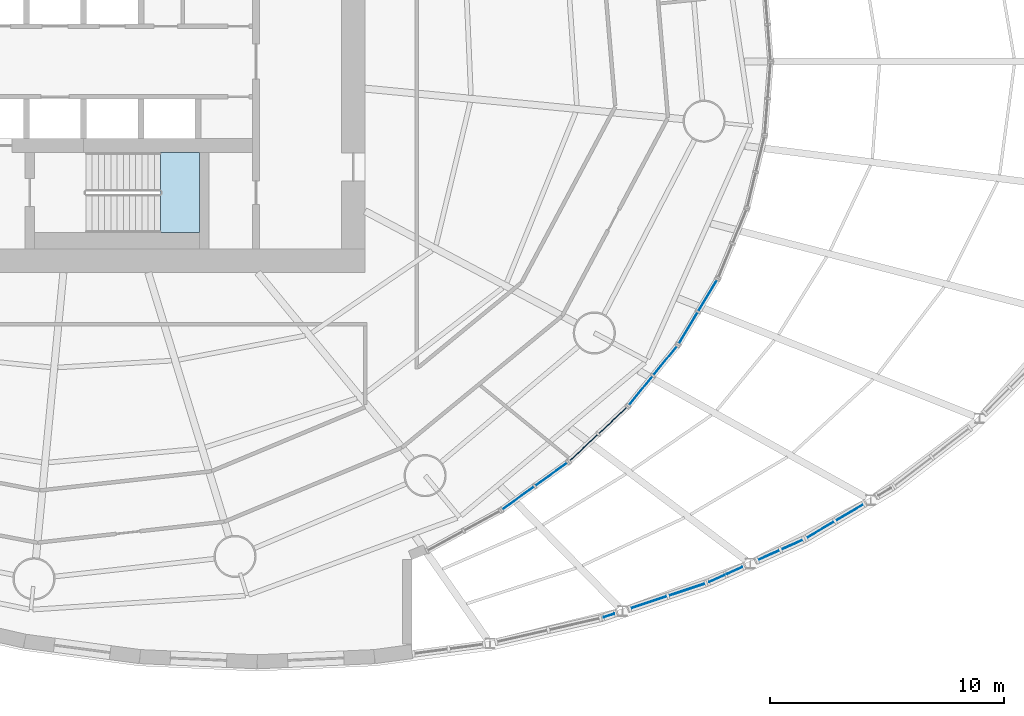
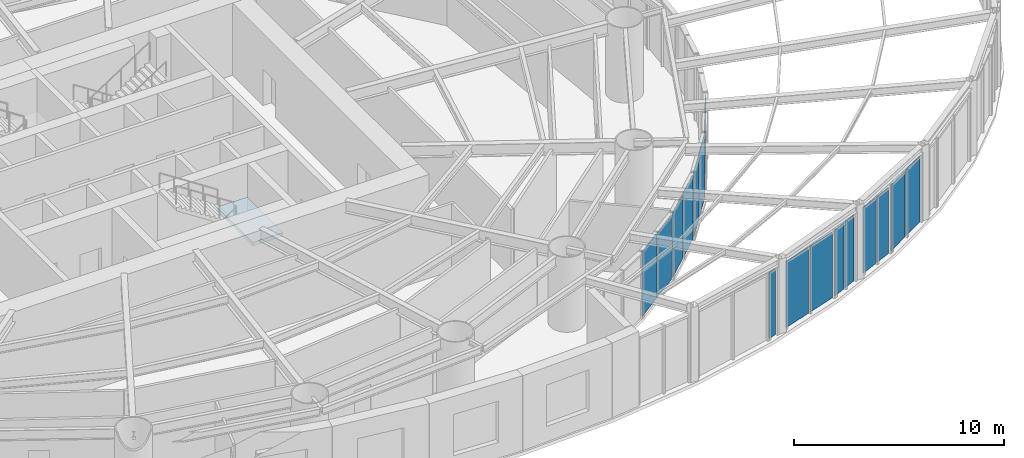
# One storey, part 14 of 23: 17 plates, 1 slab, 10 elements without a shape of their own.
"""IFC4 building model written with IfcOpenShell, lengths in metres."""

from ifc_helpers import new_model, si_unit, direction, frame, origin, origin_2d, place, context, subcontext, project, spatial, polyline, rectangle, outline, extrude, material, layer, layer_set, type_object, element, aggregate, save


model = new_model("IFC4")

# Units and contexts
model_context = context("Model", 3, precision=1e-05, world=origin(), true_north=direction((0.0, 1.0)))
body_context = subcontext(model_context, "Body", "Model", "MODEL_VIEW")
ifc_project = project(units=[si_unit("LENGTHUNIT", "METRE"), si_unit("AREAUNIT", "SQUARE_METRE"), si_unit("VOLUMEUNIT", "CUBIC_METRE"), si_unit("PLANEANGLEUNIT", "RADIAN"), si_unit("MASSUNIT", "GRAM", prefix="KILO")], contexts=[model_context])

# Site, building, storey
site_placement = place(None, origin())
site = spatial("IfcSite", under=ifc_project, at=site_placement, CompositionType="ELEMENT")
building_placement = place(site_placement, origin())
building = spatial("IfcBuilding", under=site, at=building_placement, Name="Vermilion Reach Broadcast Tower", CompositionType="ELEMENT")
storey_placement = place(building_placement, frame((0.0, 0.0, 31.5)))
storey = spatial("IfcBuildingStorey", under=building, at=storey_placement, Name="L04", CompositionType="ELEMENT", Elevation=31.5)

# Curtain wall, plate
ifc_material_1 = material(Name="Low-e laminated clear glass in aluminium frame", Category="aluminium")
curtain_wall_type_1 = type_object("IfcCurtainWallType", Name="Atrium outer wall curtain wall", PredefinedType="NOTDEFINED", material=ifc_material_1)
placement = place(storey_placement, origin())
curtain_wall_1 = element("IfcCurtainWall", 1, at=placement, inside=storey, type_object=curtain_wall_type_1, Name="Atrium wall L04 03-1", PredefinedType="NOTDEFINED")
ifc_material_2 = material(Name="Low-e laminated clear glass", Category="glass")
ifc_layer_1 = layer(ifc_material_2, 0.035888671875)
ifc_layer_set_1 = layer_set([ifc_layer_1], Name="Atrium outer wall glass panel")
plate_type_1 = type_object("IfcPlateType", Name="Atrium outer wall glass panel", PredefinedType="CURTAIN_PANEL", material=ifc_layer_set_1)
plate_1_placement = place(storey_placement, frame((16.40771484375, -23.626708984375, 0.0), z_axis=(0.0, 0.0, 1.0), x_axis=(0.949015935462, 0.315228098746, 0.0)))
plate_1 = element("IfcPlate", 2, at=plate_1_placement, type_object=plate_type_1, Name="Atrium wall glass panel L04 03-1.1.1", PredefinedType="CURTAIN_PANEL", context=body_context, shape_type="SweptSolid", body=[
    extrude(rectangle(XDim=0.467529296875, YDim=0.035888671875, at=origin_2d()), origin(), (0.0, 0.0, 1.0), 3.840087890625),
])
aggregate(curtain_wall_1, [plate_1])

# Curtain wall, plates
curtain_wall_2 = element("IfcCurtainWall", 3, at=placement, inside=storey, type_object=curtain_wall_type_1, Name="Atrium wall L04 03-2", PredefinedType="NOTDEFINED")
plate_2_placement = place(storey_placement, frame((18.10498046875, -23.06298828125, 0.0), z_axis=(0.0, 0.0, 1.0), x_axis=(0.949015935462, 0.315228098746, 0.0)))
plate_2 = element("IfcPlate", 4, at=plate_2_placement, type_object=plate_type_1, Name="Atrium wall glass panel L04 03-2.1.1", PredefinedType="CURTAIN_PANEL", context=body_context, shape_type="SweptSolid", body=[
    extrude(rectangle(XDim=1.61328125, YDim=0.035888671875, at=origin_2d()), origin(), (0.0, 0.0, 1.0), 3.840087890625),
])
plate_3_placement = place(storey_placement, frame((19.73095703125, -22.52294921875, 0.0), z_axis=(0.0, 0.0, 1.0), x_axis=(0.949015935462, 0.315228098746, 0.0)))
plate_3 = element("IfcPlate", 5, at=plate_3_placement, type_object=plate_type_1, Name="Atrium wall glass panel L04 03-2.2.1", PredefinedType="CURTAIN_PANEL", context=body_context, shape_type="SweptSolid", body=[
    extrude(rectangle(XDim=1.61328125, YDim=0.035888671875, at=origin_2d()), origin(), (0.0, 0.0, 1.0), 3.840087890625),
])
aggregate(curtain_wall_2, [plate_2, plate_3])

curtain_wall_3 = element("IfcCurtainWall", 6, at=placement, inside=storey, type_object=curtain_wall_type_1, Name="Atrium wall L04 04-1", PredefinedType="NOTDEFINED")
plate_4_placement = place(storey_placement, frame((21.01171875, -22.048095703125, 0.0), z_axis=(0.0, 0.0, 1.0), x_axis=(0.911902064418, 0.410407876277, 0.0)))
plate_4 = element("IfcPlate", 7, at=plate_4_placement, type_object=plate_type_1, Name="Atrium wall glass panel L04 04-1.1.1", PredefinedType="CURTAIN_PANEL", context=body_context, shape_type="SweptSolid", body=[
    extrude(rectangle(XDim=0.721923828125, YDim=0.035888671875, at=origin_2d()), origin(), (0.0, 0.0, 1.0), 3.840087890625),
])
plate_5_placement = place(storey_placement, frame((21.76123046875, -21.710693359375, 0.0), z_axis=(0.0, 0.0, 1.0), x_axis=(0.911902064418, 0.410407876277, 0.0)))
plate_5 = element("IfcPlate", 8, at=plate_5_placement, type_object=plate_type_1, Name="Atrium wall glass panel L04 04-1.2.1", PredefinedType="CURTAIN_PANEL", context=body_context, shape_type="SweptSolid", body=[
    extrude(rectangle(XDim=0.721923828125, YDim=0.035888671875, at=origin_2d()), origin(), (0.0, 0.0, 1.0), 3.840087890625),
])
aggregate(curtain_wall_3, [plate_4, plate_5])

curtain_wall_4 = element("IfcCurtainWall", 9, at=placement, inside=storey, type_object=curtain_wall_type_1, Name="Atrium wall L04 04-2", PredefinedType="NOTDEFINED")
plate_6_placement = place(storey_placement, frame((23.223876953125, -21.052490234375, 0.0), z_axis=(0.0, 0.0, 1.0), x_axis=(0.911902064418, 0.410407876277, 0.0)))
plate_6 = element("IfcPlate", 10, at=plate_6_placement, type_object=plate_type_1, Name="Atrium wall glass panel L04 04-2.1.1", PredefinedType="CURTAIN_PANEL", context=body_context, shape_type="SweptSolid", body=[
    extrude(rectangle(XDim=0.990234375, YDim=0.035888671875, at=origin_2d()), origin(), (0.0, 0.0, 1.0), 3.840087890625),
])
plate_7_placement = place(storey_placement, frame((24.218017578125, -20.60498046875, 0.0), z_axis=(0.0, 0.0, 1.0), x_axis=(0.911902064418, 0.410407876277, 0.0)))
plate_7 = element("IfcPlate", 11, at=plate_7_placement, type_object=plate_type_1, Name="Atrium wall glass panel L04 04-2.2.1", PredefinedType="CURTAIN_PANEL", context=body_context, shape_type="SweptSolid", body=[
    extrude(rectangle(XDim=0.990234375, YDim=0.035888671875, at=origin_2d()), origin(), (0.0, 0.0, 1.0), 3.840087890625),
])
aggregate(curtain_wall_4, [plate_6, plate_7])

curtain_wall_5 = element("IfcCurtainWall", 12, at=placement, inside=storey, type_object=curtain_wall_type_1, Name="Atrium wall L04 05-1", PredefinedType="NOTDEFINED")
plate_8_placement = place(storey_placement, frame((25.42578125, -19.968017578125, 0.0), z_axis=(0.0, 0.0, 1.0), x_axis=(0.861009057017, 0.508589622127, 0.0)))
plate_8 = element("IfcPlate", 13, at=plate_8_placement, type_object=plate_type_1, Name="Atrium wall glass panel L04 05-1.1.1", PredefinedType="CURTAIN_PANEL", context=body_context, shape_type="SweptSolid", body=[
    extrude(rectangle(XDim=1.344970703125, YDim=0.035888671875, at=origin_2d()), origin(), (0.0, 0.0, 1.0), 3.840087890625),
])
plate_9_placement = place(storey_placement, frame((26.669677734375, -19.233154296875, 0.0), z_axis=(0.0, 0.0, 1.0), x_axis=(0.861009057017, 0.508589622127, 0.0)))
plate_9 = element("IfcPlate", 14, at=plate_9_placement, type_object=plate_type_1, Name="Atrium wall glass panel L04 05-1.2.1", PredefinedType="CURTAIN_PANEL", context=body_context, shape_type="SweptSolid", body=[
    extrude(rectangle(XDim=1.344970703125, YDim=0.035888671875, at=origin_2d()), origin(), (0.0, 0.0, 1.0), 3.840087890625),
])
aggregate(curtain_wall_5, [plate_8, plate_9])

ifc_material_3 = material(Name="Low-e laminated clear glass in aluminium frame", Category="aluminium")
curtain_wall_type_2 = type_object("IfcCurtainWallType", Name="Drum wall curtain wall", PredefinedType="NOTDEFINED", material=ifc_material_3)
curtain_wall_6 = element("IfcCurtainWall", 15, at=placement, inside=storey, type_object=curtain_wall_type_2, Name="Drum wall L04 12", PredefinedType="NOTDEFINED")
ifc_material_4 = material(Name="Low-e laminated clear glass", Category="glass")
ifc_layer_2 = layer(ifc_material_4, 0.031982421875)
ifc_layer_set_2 = layer_set([ifc_layer_2], Name="Drum wall glass panel")
plate_type_2 = type_object("IfcPlateType", Name="Drum wall glass panel", PredefinedType="CURTAIN_PANEL", material=ifc_layer_set_2)
plate_10_placement = place(storey_placement, frame((20.617431640625, -9.981689453125, 0.0), z_axis=(0.0, 0.0, 1.0), x_axis=(-0.515613297961, -0.856821409027, 0.0)))
plate_10 = element("IfcPlate", 16, at=plate_10_placement, type_object=plate_type_2, Name="Drum wall glass panel L04 12.1.1", PredefinedType="CURTAIN_PANEL", context=body_context, shape_type="SweptSolid", body=[
    extrude(rectangle(XDim=1.531982421875, YDim=0.031982421875, at=origin_2d()), origin(), (0.0, 0.0, 1.0), 3.761962890625),
])
plate_11_placement = place(storey_placement, frame((19.7861328125, -11.363037109375, 0.0), z_axis=(0.0, 0.0, 1.0), x_axis=(-0.515613297961, -0.856821409027, 0.0)))
plate_11 = element("IfcPlate", 17, at=plate_11_placement, type_object=plate_type_2, Name="Drum wall glass panel L04 12.2.1", PredefinedType="CURTAIN_PANEL", context=body_context, shape_type="SweptSolid", body=[
    extrude(rectangle(XDim=1.531982421875, YDim=0.031982421875, at=origin_2d()), origin(), (0.0, 0.0, 1.0), 3.761962890625),
])
aggregate(curtain_wall_6, [plate_10, plate_11])

curtain_wall_7 = element("IfcCurtainWall", 18, at=placement, inside=storey, type_object=curtain_wall_type_2, Name="Drum wall L04 13", PredefinedType="NOTDEFINED")
plate_12_placement = place(storey_placement, frame((18.80322265625, -12.758544921875, 0.0), z_axis=(0.0, 0.0, 1.0), x_axis=(-0.631930611951, -0.775024968423, 0.0)))
plate_12 = element("IfcPlate", 19, at=plate_12_placement, type_object=plate_type_2, Name="Drum wall glass panel L04 13.1.1", PredefinedType="CURTAIN_PANEL", context=body_context, shape_type="SweptSolid", body=[
    extrude(rectangle(XDim=1.570556640625, YDim=0.031982421875, at=origin_2d()), origin(), (0.0, 0.0, 1.0), 3.761962890625),
])
plate_13_placement = place(storey_placement, frame((17.760009765625, -14.037841796875, 0.0), z_axis=(0.0, 0.0, 1.0), x_axis=(-0.631930611951, -0.775024968423, 0.0)))
plate_13 = element("IfcPlate", 20, at=plate_13_placement, type_object=plate_type_2, Name="Drum wall glass panel L04 13.2.1", PredefinedType="CURTAIN_PANEL", context=body_context, shape_type="SweptSolid", body=[
    extrude(rectangle(XDim=1.570556640625, YDim=0.031982421875, at=origin_2d()), origin(), (0.0, 0.0, 1.0), 3.761962890625),
])
aggregate(curtain_wall_7, [plate_12, plate_13])

curtain_wall_8 = element("IfcCurtainWall", 21, at=placement, inside=storey, type_object=curtain_wall_type_2, Name="Drum wall L04 14", PredefinedType="NOTDEFINED")
plate_14_placement = place(storey_placement, frame((16.565673828125, -15.3134765625, 0.0), z_axis=(0.0, 0.0, 1.0), x_axis=(-0.730654054194, -0.682747869342, 0.0)))
plate_14 = element("IfcPlate", 22, at=plate_14_placement, type_object=plate_type_2, Name="Drum wall glass panel L04 14.1.1", PredefinedType="CURTAIN_PANEL", context=body_context, shape_type="SweptSolid", body=[
    extrude(rectangle(XDim=1.612548828125, YDim=0.031982421875, at=origin_2d()), origin(), (0.0, 0.0, 1.0), 3.761962890625),
])
plate_15_placement = place(storey_placement, frame((15.3291015625, -16.46923828125, 0.0), z_axis=(0.0, 0.0, 1.0), x_axis=(-0.730654054194, -0.682747869342, 0.0)))
plate_15 = element("IfcPlate", 23, at=plate_15_placement, type_object=plate_type_2, Name="Drum wall glass panel L04 14.2.1", PredefinedType="CURTAIN_PANEL", context=body_context, shape_type="SweptSolid", body=[
    extrude(rectangle(XDim=1.612548828125, YDim=0.031982421875, at=origin_2d()), origin(), (0.0, 0.0, 1.0), 3.761962890625),
])
aggregate(curtain_wall_8, [plate_14, plate_15])

curtain_wall_9 = element("IfcCurtainWall", 24, at=placement, inside=storey, type_object=curtain_wall_type_2, Name="Drum wall L04 15", PredefinedType="NOTDEFINED")
plate_16_placement = place(storey_placement, frame((13.9443359375, -17.60400390625, 0.0), z_axis=(0.0, 0.0, 1.0), x_axis=(-0.812050569069, -0.583587074286, 0.0)))
plate_16 = element("IfcPlate", 25, at=plate_16_placement, type_object=plate_type_2, Name="Drum wall glass panel L04 15.1.1", PredefinedType="CURTAIN_PANEL", context=body_context, shape_type="SweptSolid", body=[
    extrude(rectangle(XDim=1.6552734375, YDim=0.031982421875, at=origin_2d()), origin(), (0.0, 0.0, 1.0), 3.761962890625),
])
plate_17_placement = place(storey_placement, frame((12.535400390625, -18.61669921875, 0.0), z_axis=(0.0, 0.0, 1.0), x_axis=(-0.812050569069, -0.583587074286, 0.0)))
plate_17 = element("IfcPlate", 26, at=plate_17_placement, type_object=plate_type_2, Name="Drum wall glass panel L04 15.2.1", PredefinedType="CURTAIN_PANEL", context=body_context, shape_type="SweptSolid", body=[
    extrude(rectangle(XDim=1.6552734375, YDim=0.031982421875, at=origin_2d()), origin(), (0.0, 0.0, 1.0), 3.761962890625),
])
aggregate(curtain_wall_9, [plate_16, plate_17])

# Stair, slab
ifc_material_5 = material(Name="Concrete C40", Category="concrete")
stair_type = type_object("IfcStairType", Name="Exit stair RC 26 risers 173 mm", PredefinedType="HALF_TURN_STAIR", material=ifc_material_5)
stair = element("IfcStair", 27, at=placement, inside=storey, type_object=stair_type, Name="L04 Exit stair ST3", PredefinedType="HALF_TURN_STAIR")
ifc_material_6 = material(Name="Concrete C40", Category="concrete")
ifc_layer_3 = layer(ifc_material_6, 0.199951171875)
ifc_layer_set_3 = layer_set([ifc_layer_3], Name="Exit stair landing Concrete C40")
slab_type = type_object("IfcSlabType", Name="Exit stair landing Concrete C40", PredefinedType="LANDING", material=ifc_layer_set_3)
slab_placement = place(storey_placement, frame((0.0, 0.0, 2.050048828125)))
slab = element("IfcSlab", 28, at=slab_placement, type_object=slab_type, Name="ST3 landing 1", PredefinedType="LANDING", context=body_context, shape_type="SweptSolid", body=[
    extrude(outline(polyline([(-2.719970703125, -7.300048828125), (-1.050048828125, -7.300048828125), (-1.050048828125, -3.8798828125), (-2.719970703125, -3.8798828125), (-2.719970703125, -7.300048828125)])), origin(), (0.0, 0.0, 1.0), 0.199951171875),
])
aggregate(stair, [slab])

save(model, "model.ifc")
